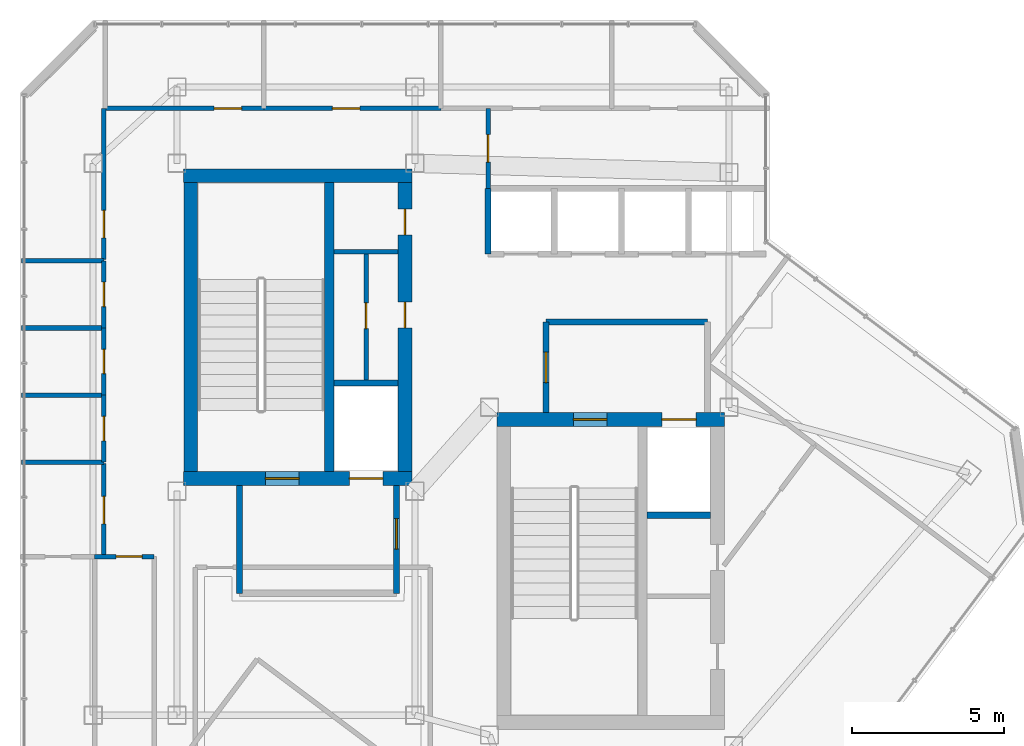
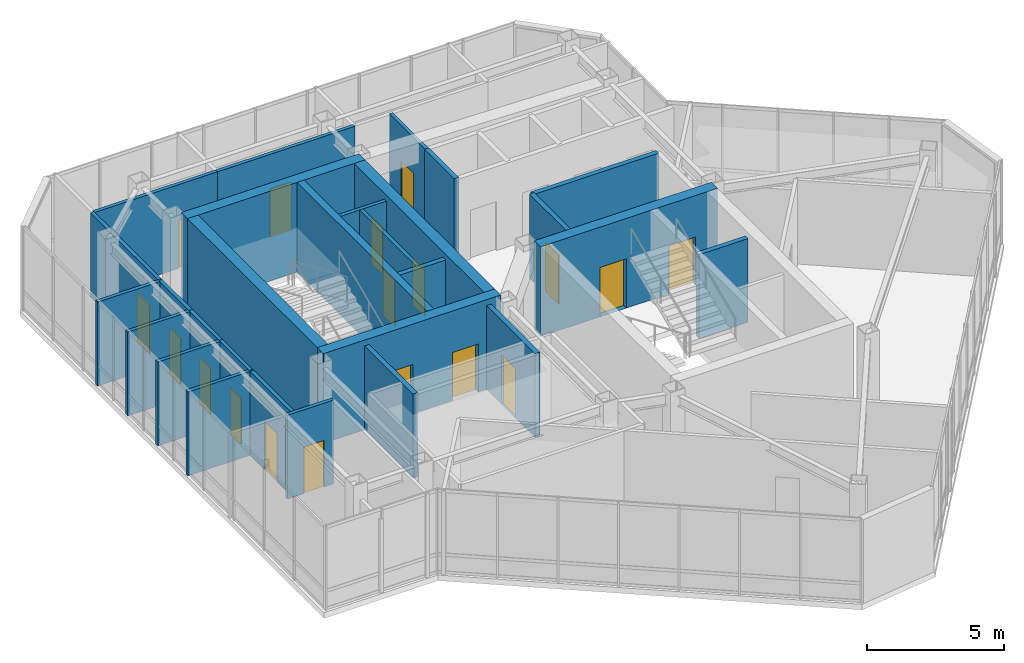
# One storey, part 26 of 29: 28 walls, 18 doors, 18 openings.
"""IFC4 building model written with IfcOpenShell, lengths in metres."""

from ifc_helpers import new_model, si_unit, direction, frame, frame_2d, origin, place, context, subcontext, project, spatial, rectangle, extrude, material, layer, layer_set, type_object, element, fill, save


model = new_model("IFC4")

# Units and contexts
model_context = context("Model", 3, precision=1e-05, world=origin(), true_north=direction((0.0, 1.0)))
body_context = subcontext(model_context, "Body", "Model", "MODEL_VIEW")
ifc_project = project(units=[si_unit("LENGTHUNIT", "METRE"), si_unit("AREAUNIT", "SQUARE_METRE"), si_unit("VOLUMEUNIT", "CUBIC_METRE"), si_unit("PLANEANGLEUNIT", "RADIAN"), si_unit("MASSUNIT", "GRAM", prefix="KILO")], contexts=[model_context])

# Site, building, storey
site_placement = place(None, origin())
site = spatial("IfcSite", under=ifc_project, at=site_placement, CompositionType="ELEMENT")
building_placement = place(site_placement, origin())
building = spatial("IfcBuilding", under=site, at=building_placement, Name="Hatsunagi Terrace Concourse", CompositionType="ELEMENT")
storey_placement = place(building_placement, frame((0.0, 0.0, 277.949951171875)))
storey = spatial("IfcBuildingStorey", under=building, at=storey_placement, Name="L73", CompositionType="ELEMENT", Elevation=277.949951171875)

# Wall, openings, doors
ifc_material_1 = material(Name="Concrete Fc42", Category="concrete")
ifc_layer_1 = layer(ifc_material_1, 0.449951171875)
ifc_layer_set_1 = layer_set([ifc_layer_1], Name="CoreShearWall_Fc42_450")
wall_type_1 = type_object("IfcWallType", Name="CoreShearWall_Fc42_450", PredefinedType="SHEAR", material=ifc_layer_set_1)
wall_1_placement = place(storey_placement, frame((25.77001953125, 32.965087890625, 0.0), z_axis=(0.0, 0.0, 1.0), x_axis=(1.0, 0.0, 0.0)))
wall_1 = element("IfcWall", 1, at=wall_1_placement, inside=storey, type_object=wall_type_1, Name="Core A Shear Wall S L73", PredefinedType="SHEAR", context=body_context, shape_type="SweptSolid", body=[
    extrude(rectangle(XDim=7.47998046875, YDim=0.449951171875, at=frame_2d((3.739990234375, 0.0))), origin(), (0.0, 0.0, 1.0), 4.0),
])
opening_1_placement = place(wall_1_placement, frame((2.679931640625, 0.0, 0.0)))
opening_1 = element("IfcOpeningElement", 2, at=opening_1_placement, cuts=wall_1, Name="Opening DR-110S", PredefinedType="OPENING", context=body_context, shape_type="SweptSolid", body=[
    extrude(rectangle(XDim=1.10009765625, YDim=2.199951171875, at=frame_2d((0.550048828125, 1.10009765625))), frame((0.0, 0.23486328125, 0.0), z_axis=(0.0, -1.0, 0.0), x_axis=(1.0, 0.0, 0.0)), (0.0, 0.0, 1.0), 0.469970703125),
])
opening_2_placement = place(wall_1_placement, frame((5.429931640625, 0.0, 0.0)))
opening_2 = element("IfcOpeningElement", 3, at=opening_2_placement, cuts=wall_1, Name="Opening LD-01", PredefinedType="OPENING", context=body_context, shape_type="SweptSolid", body=[
    extrude(rectangle(XDim=1.10009765625, YDim=2.14990234375, at=frame_2d((0.550048828125, 1.074951171875))), frame((0.0, 0.23486328125, 0.0), z_axis=(0.0, -1.0, 0.0), x_axis=(1.0, 0.0, 0.0)), (0.0, 0.0, 1.0), 0.469970703125),
])
ifc_material_2 = material(Name="Stainless steel", Category="steel")
door_type_1 = type_object("IfcDoorType", Name="LiftLandingDoor_LD01", OperationType="SLIDING_TO_LEFT", PredefinedType="USERDEFINED", material=ifc_material_2)
door_1_placement = place(opening_2_placement, origin())
door_1 = element("IfcDoor", 4, at=door_1_placement, inside=storey, type_object=door_type_1, Name="Lift landing door FF-01 L73", ObjectType="SLIDING_LANDING_DOOR", OperationType="SLIDING_TO_LEFT", OverallHeight=2.14990234375, OverallWidth=1.10009765625, PredefinedType="USERDEFINED", context=body_context, shape_type="SweptSolid", body=[
    extrude(rectangle(XDim=1.10009765625, YDim=2.14990234375, at=frame_2d((0.550048828125, 1.074951171875))), frame((0.0, 0.02490234375, 0.0), z_axis=(0.0, -1.0, 0.0), x_axis=(1.0, 0.0, 0.0)), (0.0, 0.0, 1.0), 0.050048828125),
])
fill(opening_2, door_1)
ifc_material_3 = material(Name="Painted steel", Category="steel")
door_type_2 = type_object("IfcDoorType", Name="StairFireDoor_EI60_1100", OperationType="NOTDEFINED", PredefinedType="DOOR", material=ifc_material_3)
door_2_placement = place(opening_1_placement, origin())
door_2 = element("IfcDoor", 5, at=door_2_placement, inside=storey, type_object=door_type_2, Name="Stair ST-A Exit Door L73", OperationType="SINGLE_SWING_LEFT", OverallHeight=2.199951171875, OverallWidth=1.10009765625, PredefinedType="DOOR", context=body_context, shape_type="SweptSolid", body=[
    extrude(rectangle(XDim=1.10009765625, YDim=2.199951171875, at=frame_2d((0.550048828125, 1.10009765625))), frame((0.0, 0.02490234375, 0.0), z_axis=(0.0, -1.0, 0.0), x_axis=(1.0, 0.0, 0.0)), (0.0, 0.0, 1.0), 0.050048828125),
])
fill(opening_1, door_2)

# Walls
wall_2_placement = place(storey_placement, frame((25.77001953125, 42.89501953125, 0.0), z_axis=(0.0, 0.0, 1.0), x_axis=(1.0, 0.0, 0.0)))
element("IfcWall", 6, at=wall_2_placement, inside=storey, type_object=wall_type_1, Name="Core A Shear Wall N L73", PredefinedType="SHEAR", context=body_context, shape_type="SweptSolid", body=[
    extrude(rectangle(XDim=7.47998046875, YDim=0.449951171875, at=frame_2d((3.739990234375, 0.0))), origin(), (0.0, 0.0, 1.0), 4.0),
])
wall_3_placement = place(storey_placement, frame((25.9951171875, 33.18994140625, 0.0), z_axis=(0.0, 0.0, 1.0), x_axis=(0.0, 1.0, 0.0)))
element("IfcWall", 7, at=wall_3_placement, inside=storey, type_object=wall_type_1, Name="Core A Shear Wall W L73", PredefinedType="SHEAR", context=body_context, shape_type="SweptSolid", body=[
    extrude(rectangle(XDim=9.47998046875, YDim=0.449951171875, at=frame_2d((4.739990234375, 0.0))), origin(), (0.0, 0.0, 1.0), 4.0),
])

# Wall, openings, doors
wall_4_placement = place(storey_placement, frame((33.02490234375, 33.18994140625, 0.0), z_axis=(0.0, 0.0, 1.0), x_axis=(0.0, 1.0, 0.0)))
wall_4 = element("IfcWall", 8, at=wall_4_placement, inside=storey, type_object=wall_type_1, Name="Core A Shear Wall E L73", PredefinedType="SHEAR", context=body_context, shape_type="SweptSolid", body=[
    extrude(rectangle(XDim=9.47998046875, YDim=0.449951171875, at=frame_2d((4.739990234375, 0.0))), origin(), (0.0, 0.0, 1.0), 4.0),
])
opening_3_placement = place(wall_4_placement, frame((4.7099609375, 0.0, 0.0)))
opening_3 = element("IfcOpeningElement", 9, at=opening_3_placement, cuts=wall_4, Name="Opening DR-085", PredefinedType="OPENING", context=body_context, shape_type="SweptSolid", body=[
    extrude(rectangle(XDim=0.85009765625, YDim=2.080078125, at=frame_2d((0.425048828125, 1.0400390625))), frame((0.0, 0.23486328125, 0.0), z_axis=(0.0, -1.0, 0.0), x_axis=(1.0, 0.0, 0.0)), (0.0, 0.0, 1.0), 0.469970703125),
])
opening_4_placement = place(wall_4_placement, frame((7.760009765625, 0.0, 0.0)))
opening_4 = element("IfcOpeningElement", 10, at=opening_4_placement, cuts=wall_4, Name="Opening DR-085", PredefinedType="OPENING", context=body_context, shape_type="SweptSolid", body=[
    extrude(rectangle(XDim=0.85009765625, YDim=2.080078125, at=frame_2d((0.425048828125, 1.0400390625))), frame((0.0, 0.23486328125, 0.0), z_axis=(0.0, -1.0, 0.0), x_axis=(1.0, 0.0, 0.0)), (0.0, 0.0, 1.0), 0.469970703125),
])
ifc_material_4 = material(Name="Painted steel", Category="steel")
door_type_3 = type_object("IfcDoorType", Name="RiserAccessDoor_EI60_850", OperationType="NOTDEFINED", PredefinedType="DOOR", material=ifc_material_4)
door_3_placement = place(opening_3_placement, origin())
door_3 = element("IfcDoor", 11, at=door_3_placement, inside=storey, type_object=door_type_3, Name="Core A Riser Door L73-1", OperationType="SINGLE_SWING_LEFT", OverallHeight=2.080078125, OverallWidth=0.85009765625, PredefinedType="DOOR", context=body_context, shape_type="SweptSolid", body=[
    extrude(rectangle(XDim=0.85009765625, YDim=2.080078125, at=frame_2d((0.425048828125, 1.0400390625))), frame((0.0, 0.02490234375, 0.0), z_axis=(0.0, -1.0, 0.0), x_axis=(1.0, 0.0, 0.0)), (0.0, 0.0, 1.0), 0.050048828125),
])
fill(opening_3, door_3)
door_4_placement = place(opening_4_placement, origin())
door_4 = element("IfcDoor", 12, at=door_4_placement, inside=storey, type_object=door_type_3, Name="Core A Riser Door L73-2", OperationType="SINGLE_SWING_LEFT", OverallHeight=2.080078125, OverallWidth=0.85009765625, PredefinedType="DOOR", context=body_context, shape_type="SweptSolid", body=[
    extrude(rectangle(XDim=0.85009765625, YDim=2.080078125, at=frame_2d((0.425048828125, 1.0400390625))), frame((0.0, 0.02490234375, 0.0), z_axis=(0.0, -1.0, 0.0), x_axis=(1.0, 0.0, 0.0)), (0.0, 0.0, 1.0), 0.050048828125),
])
fill(opening_4, door_4)

wall_5_placement = place(storey_placement, frame((36.0400390625, 34.89501953125, 0.0), z_axis=(0.0, 0.0, 1.0), x_axis=(1.0, 0.0, 0.0)))
wall_5 = element("IfcWall", 13, at=wall_5_placement, inside=storey, type_object=wall_type_1, Name="Core B Shear Wall N L73", PredefinedType="SHEAR", context=body_context, shape_type="SweptSolid", body=[
    extrude(rectangle(XDim=7.4599609375, YDim=0.449951171875, at=frame_2d((3.72998046875, 0.0))), origin(), (0.0, 0.0, 1.0), 4.0),
])
opening_5_placement = place(wall_5_placement, frame((2.510009765625, 0.0, 0.0)))
opening_5 = element("IfcOpeningElement", 14, at=opening_5_placement, cuts=wall_5, Name="Opening DR-110S", PredefinedType="OPENING", context=body_context, shape_type="SweptSolid", body=[
    extrude(rectangle(XDim=1.10009765625, YDim=2.199951171875, at=frame_2d((0.550048828125, 1.10009765625))), frame((0.0, 0.23486328125, 0.0), z_axis=(0.0, -1.0, 0.0), x_axis=(1.0, 0.0, 0.0)), (0.0, 0.0, 1.0), 0.469970703125),
])
opening_6_placement = place(wall_5_placement, frame((5.409912109375, 0.0, 0.0)))
opening_6 = element("IfcOpeningElement", 15, at=opening_6_placement, cuts=wall_5, Name="Opening LD-02", PredefinedType="OPENING", context=body_context, shape_type="SweptSolid", body=[
    extrude(rectangle(XDim=1.1201171875, YDim=2.14990234375, at=frame_2d((0.56005859375, 1.074951171875))), frame((0.0, 0.23486328125, 0.0), z_axis=(0.0, -1.0, 0.0), x_axis=(1.0, 0.0, 0.0)), (0.0, 0.0, 1.0), 0.469970703125),
])
ifc_material_5 = material(Name="Stainless steel", Category="steel")
door_type_4 = type_object("IfcDoorType", Name="LiftLandingDoor_LD02", OperationType="SLIDING_TO_RIGHT", PredefinedType="USERDEFINED", material=ifc_material_5)
door_5_placement = place(opening_6_placement, origin())
door_5 = element("IfcDoor", 16, at=door_5_placement, inside=storey, type_object=door_type_4, Name="Lift landing door FF-02 L73", ObjectType="SLIDING_LANDING_DOOR", OperationType="SLIDING_TO_RIGHT", OverallHeight=2.14990234375, OverallWidth=1.1201171875, PredefinedType="USERDEFINED", context=body_context, shape_type="SweptSolid", body=[
    extrude(rectangle(XDim=1.1201171875, YDim=2.14990234375, at=frame_2d((0.56005859375, 1.074951171875))), frame((0.0, 0.02490234375, 0.0), z_axis=(0.0, -1.0, 0.0), x_axis=(1.0, 0.0, 0.0)), (0.0, 0.0, 1.0), 0.050048828125),
])
fill(opening_6, door_5)
door_6_placement = place(opening_5_placement, origin())
door_6 = element("IfcDoor", 17, at=door_6_placement, inside=storey, type_object=door_type_2, Name="Stair ST-B Exit Door L73", OperationType="SINGLE_SWING_RIGHT", OverallHeight=2.199951171875, OverallWidth=1.10009765625, PredefinedType="DOOR", context=body_context, shape_type="SweptSolid", body=[
    extrude(rectangle(XDim=1.10009765625, YDim=2.199951171875, at=frame_2d((0.550048828125, 1.10009765625))), frame((0.0, 0.02490234375, 0.0), z_axis=(0.0, -1.0, 0.0), x_axis=(1.0, 0.0, 0.0)), (0.0, 0.0, 1.0), 0.050048828125),
])
fill(opening_5, door_6)

# Wall
ifc_material_6 = material(Name="Concrete Fc48", Category="concrete")
ifc_layer_2 = layer(ifc_material_6, 0.300048828125)
ifc_layer_set_2 = layer_set([ifc_layer_2], Name="CoreStairDivider_Fc48_300")
wall_type_2 = type_object("IfcWallType", Name="CoreStairDivider_Fc48_300", PredefinedType="SHEAR", material=ifc_layer_set_2)
wall_6_placement = place(storey_placement, frame((30.5400390625, 33.18994140625, 0.0), z_axis=(0.0, 0.0, 1.0), x_axis=(0.0, 1.0, 0.0)))
element("IfcWall", 18, at=wall_6_placement, inside=storey, type_object=wall_type_2, Name="Core A Shear Wall D L73", PredefinedType="SHEAR", context=body_context, shape_type="SweptSolid", body=[
    extrude(rectangle(XDim=9.47998046875, YDim=0.300048828125, at=frame_2d((4.739990234375, 0.0))), origin(), (0.0, 0.0, 1.0), 4.0),
])

# Wall, opening, door
ifc_material_7 = material(Name="Acoustic mineral board", Category="gypsum")
ifc_layer_3 = layer(ifc_material_7, 0.14990234375)
ifc_layer_set_3 = layer_set([ifc_layer_3], Name="PartitionWall_EI60_150")
wall_type_3 = type_object("IfcWallType", Name="PartitionWall_EI60_150", PredefinedType="PARTITIONING", material=ifc_layer_set_3)
wall_7_placement = place(storey_placement, frame((31.75, 36.179931640625, 0.0), z_axis=(0.0, 0.0, 1.0), x_axis=(0.0, 1.0, 0.0)))
wall_7 = element("IfcWall", 19, at=wall_7_placement, inside=storey, type_object=wall_type_3, Name="Interior Partition IW-L73-002", PredefinedType="PARTITIONING", context=body_context, shape_type="SweptSolid", body=[
    extrude(rectangle(XDim=4.239990234375, YDim=0.14990234375, at=frame_2d((2.1201171875, 0.0))), origin(), (0.0, 0.0, 1.0), 3.739990234375),
])
opening_7_placement = place(wall_7_placement, frame((1.695068359375, 0.0, 0.0)))
opening_7 = element("IfcOpeningElement", 20, at=opening_7_placement, cuts=wall_7, Name="Opening DR-085", PredefinedType="OPENING", context=body_context, shape_type="SweptSolid", body=[
    extrude(rectangle(XDim=0.85009765625, YDim=2.080078125, at=frame_2d((0.425048828125, 1.0400390625))), frame((0.0, 0.0849609375, 0.0), z_axis=(0.0, -1.0, 0.0), x_axis=(1.0, 0.0, 0.0)), (0.0, 0.0, 1.0), 0.169921875),
])
door_7_placement = place(opening_7_placement, origin())
door_7 = element("IfcDoor", 21, at=door_7_placement, inside=storey, type_object=door_type_3, Name="Core A Sub-Riser Door L73", OperationType="SINGLE_SWING_LEFT", OverallHeight=2.080078125, OverallWidth=0.85009765625, PredefinedType="DOOR", context=body_context, shape_type="SweptSolid", body=[
    extrude(rectangle(XDim=0.85009765625, YDim=2.080078125, at=frame_2d((0.425048828125, 1.0400390625))), frame((0.0, 0.02490234375, 0.0), z_axis=(0.0, -1.0, 0.0), x_axis=(1.0, 0.0, 0.0)), (0.0, 0.0, 1.0), 0.050048828125),
])
fill(opening_7, door_7)

# Walls
wall_8_placement = place(storey_placement, frame((30.699951171875, 40.39990234375, 0.0), z_axis=(0.0, 0.0, 1.0), x_axis=(1.0, 0.0, 0.0)))
element("IfcWall", 22, at=wall_8_placement, inside=storey, type_object=wall_type_3, Name="Interior Partition IW-L73-003", PredefinedType="PARTITIONING", context=body_context, shape_type="SweptSolid", body=[
    extrude(rectangle(XDim=2.10009765625, YDim=0.14990234375, at=frame_2d((1.050048828125, 0.0))), origin(), (0.0, 0.0, 1.0), 3.739990234375),
])
for number, where, z_axis, x_axis, name in (
    (23, (20.449951171875, 33.5, 0.0), (0.0, 0.0, 1.0), (1.0, 0.0, 0.0), "Interior Partition IW-L73-018"),
    (24, (20.449951171875, 40.10009765625, 0.0), (0.0, 0.0, 1.0), (1.0, 0.0, 0.0), "Interior Partition IW-L73-019"),
    (25, (20.449951171875, 35.699951171875, 0.0), (0.0, 0.0, 1.0), (1.0, 0.0, 0.0), "Interior Partition IW-L73-020"),
    (26, (20.449951171875, 37.89990234375, 0.0), (0.0, 0.0, 1.0), (1.0, 0.0, 0.0), "Interior Partition IW-L73-021"),
):
    element("IfcWall", number, at=place(storey_placement, frame(where, z_axis=z_axis, x_axis=x_axis)), inside=storey, type_object=wall_type_3, Name=name, PredefinedType="PARTITIONING", context=body_context, shape_type="SweptSolid", body=[
        extrude(rectangle(XDim=2.699951171875, YDim=0.14990234375, at=frame_2d((1.35009765625, 0.0))), origin(), (0.0, 0.0, 1.0), 3.739990234375),
    ])

# Wall, opening, door
wall_9_placement = place(storey_placement, frame((23.14990234375, 33.5, 0.0), z_axis=(0.0, 0.0, 1.0), x_axis=(0.0, 1.0, 0.0)))
wall_9 = element("IfcWall", 27, at=wall_9_placement, inside=storey, type_object=wall_type_3, Name="Interior Partition IW-L73-022", PredefinedType="PARTITIONING", context=body_context, shape_type="SweptSolid", body=[
    extrude(rectangle(XDim=2.199951171875, YDim=0.14990234375, at=frame_2d((1.10009765625, 0.0))), origin(), (0.0, 0.0, 1.0), 3.739990234375),
])
opening_8_placement = place(wall_9_placement, frame((0.699951171875, 0.0, 0.0)))
opening_8 = element("IfcOpeningElement", 28, at=opening_8_placement, cuts=wall_9, Name="Opening DR-080", PredefinedType="OPENING", context=body_context, shape_type="SweptSolid", body=[
    extrude(rectangle(XDim=0.800048828125, YDim=2.06005859375, at=frame_2d((0.39990234375, 1.030029296875))), frame((0.0, 0.0849609375, 0.0), z_axis=(0.0, -1.0, 0.0), x_axis=(1.0, 0.0, 0.0)), (0.0, 0.0, 1.0), 0.169921875),
])
ifc_material_8 = material(Name="Hardwood timber", Category="wood")
door_type_5 = type_object("IfcDoorType", Name="BathroomDoor_800", OperationType="NOTDEFINED", PredefinedType="DOOR", material=ifc_material_8)
door_8_placement = place(opening_8_placement, origin())
door_8 = element("IfcDoor", 29, at=door_8_placement, inside=storey, type_object=door_type_5, Name="Accessible WC Door L73", OperationType="SINGLE_SWING_LEFT", OverallHeight=2.06005859375, OverallWidth=0.800048828125, PredefinedType="DOOR", context=body_context, shape_type="SweptSolid", body=[
    extrude(rectangle(XDim=0.800048828125, YDim=2.06005859375, at=frame_2d((0.39990234375, 1.030029296875))), frame((0.0, 0.02490234375, 0.0), z_axis=(0.0, -1.0, 0.0), x_axis=(1.0, 0.0, 0.0)), (0.0, 0.0, 1.0), 0.050048828125),
])
fill(opening_8, door_8)

wall_10_placement = place(storey_placement, frame((23.14990234375, 35.699951171875, 0.0), z_axis=(0.0, 0.0, 1.0), x_axis=(0.0, 1.0, 0.0)))
wall_10 = element("IfcWall", 30, at=wall_10_placement, inside=storey, type_object=wall_type_3, Name="Interior Partition IW-L73-023", PredefinedType="PARTITIONING", context=body_context, shape_type="SweptSolid", body=[
    extrude(rectangle(XDim=2.199951171875, YDim=0.14990234375, at=frame_2d((1.10009765625, 0.0))), origin(), (0.0, 0.0, 1.0), 3.739990234375),
])
opening_9_placement = place(wall_10_placement, frame((0.699951171875, 0.0, 0.0)))
opening_9 = element("IfcOpeningElement", 31, at=opening_9_placement, cuts=wall_10, Name="Opening DR-080", PredefinedType="OPENING", context=body_context, shape_type="SweptSolid", body=[
    extrude(rectangle(XDim=0.800048828125, YDim=2.06005859375, at=frame_2d((0.39990234375, 1.030029296875))), frame((0.0, 0.0849609375, 0.0), z_axis=(0.0, -1.0, 0.0), x_axis=(1.0, 0.0, 0.0)), (0.0, 0.0, 1.0), 0.169921875),
])
door_9_placement = place(opening_9_placement, origin())
door_9 = element("IfcDoor", 32, at=door_9_placement, inside=storey, type_object=door_type_5, Name="Female Restroom Door L73", OperationType="SINGLE_SWING_LEFT", OverallHeight=2.06005859375, OverallWidth=0.800048828125, PredefinedType="DOOR", context=body_context, shape_type="SweptSolid", body=[
    extrude(rectangle(XDim=0.800048828125, YDim=2.06005859375, at=frame_2d((0.39990234375, 1.030029296875))), frame((0.0, 0.02490234375, 0.0), z_axis=(0.0, -1.0, 0.0), x_axis=(1.0, 0.0, 0.0)), (0.0, 0.0, 1.0), 0.050048828125),
])
fill(opening_9, door_9)

wall_11_placement = place(storey_placement, frame((23.14990234375, 37.89990234375, 0.0), z_axis=(0.0, 0.0, 1.0), x_axis=(0.0, 1.0, 0.0)))
wall_11 = element("IfcWall", 33, at=wall_11_placement, inside=storey, type_object=wall_type_3, Name="Interior Partition IW-L73-024", PredefinedType="PARTITIONING", context=body_context, shape_type="SweptSolid", body=[
    extrude(rectangle(XDim=2.2001953125, YDim=0.14990234375, at=frame_2d((1.10009765625, 0.0))), origin(), (0.0, 0.0, 1.0), 3.739990234375),
])
opening_10_placement = place(wall_11_placement, frame((0.699951171875, 0.0, 0.0)))
opening_10 = element("IfcOpeningElement", 34, at=opening_10_placement, cuts=wall_11, Name="Opening DR-080", PredefinedType="OPENING", context=body_context, shape_type="SweptSolid", body=[
    extrude(rectangle(XDim=0.800048828125, YDim=2.06005859375, at=frame_2d((0.39990234375, 1.030029296875))), frame((0.0, 0.0849609375, 0.0), z_axis=(0.0, -1.0, 0.0), x_axis=(1.0, 0.0, 0.0)), (0.0, 0.0, 1.0), 0.169921875),
])
door_10_placement = place(opening_10_placement, origin())
door_10 = element("IfcDoor", 35, at=door_10_placement, inside=storey, type_object=door_type_5, Name="Male Restroom Door L73", OperationType="SINGLE_SWING_RIGHT", OverallHeight=2.06005859375, OverallWidth=0.800048828125, PredefinedType="DOOR", context=body_context, shape_type="SweptSolid", body=[
    extrude(rectangle(XDim=0.800048828125, YDim=2.06005859375, at=frame_2d((0.39990234375, 1.030029296875))), frame((0.0, 0.02490234375, 0.0), z_axis=(0.0, -1.0, 0.0), x_axis=(1.0, 0.0, 0.0)), (0.0, 0.0, 1.0), 0.050048828125),
])
fill(opening_10, door_10)

wall_12_placement = place(storey_placement, frame((23.199951171875, 45.10009765625, 0.0), z_axis=(0.0, 0.0, 1.0), x_axis=(1.0, 0.0, 0.0)))
wall_12 = element("IfcWall", 36, at=wall_12_placement, inside=storey, type_object=wall_type_3, Name="Interior Partition IW-L73-029", PredefinedType="PARTITIONING", context=body_context, shape_type="SweptSolid", body=[
    extrude(rectangle(XDim=5.199951171875, YDim=0.14990234375, at=frame_2d((2.60009765625, 0.0))), origin(), (0.0, 0.0, 1.0), 3.739990234375),
])
opening_11_placement = place(wall_12_placement, frame((3.56591796875, 0.0, 0.0)))
opening_11 = element("IfcOpeningElement", 37, at=opening_11_placement, cuts=wall_12, Name="Opening DR-090", PredefinedType="OPENING", context=body_context, shape_type="SweptSolid", body=[
    extrude(rectangle(XDim=0.89990234375, YDim=2.14990234375, at=frame_2d((0.449951171875, 1.074951171875))), frame((0.0, 0.0849609375, 0.0), z_axis=(0.0, -1.0, 0.0), x_axis=(1.0, 0.0, 0.0)), (0.0, 0.0, 1.0), 0.169921875),
])
ifc_material_9 = material(Name="Hardwood timber", Category="wood")
door_type_6 = type_object("IfcDoorType", Name="CrownPavilionDoor_EI30_900", OperationType="NOTDEFINED", PredefinedType="DOOR", material=ifc_material_9)
door_11_placement = place(opening_11_placement, origin())
door_11 = element("IfcDoor", 38, at=door_11_placement, inside=storey, type_object=door_type_6, Name="Focus Room L73-CRN1 Door", OperationType="SINGLE_SWING_RIGHT", OverallHeight=2.14990234375, OverallWidth=0.89990234375, PredefinedType="DOOR", context=body_context, shape_type="SweptSolid", body=[
    extrude(rectangle(XDim=0.89990234375, YDim=2.14990234375, at=frame_2d((0.449951171875, 1.074951171875))), frame((0.0, 0.02490234375, 0.0), z_axis=(0.0, -1.0, 0.0), x_axis=(1.0, 0.0, 0.0)), (0.0, 0.0, 1.0), 0.050048828125),
])
fill(opening_11, door_11)

wall_13_placement = place(storey_placement, frame((28.39990234375, 45.10009765625, 0.0), z_axis=(0.0, 0.0, 1.0), x_axis=(1.0, 0.0, 0.0)))
wall_13 = element("IfcWall", 39, at=wall_13_placement, inside=storey, type_object=wall_type_3, Name="Interior Partition IW-L73-032", PredefinedType="PARTITIONING", context=body_context, shape_type="SweptSolid", body=[
    extrude(rectangle(XDim=5.800048828125, YDim=0.14990234375, at=frame_2d((2.89990234375, 0.0))), origin(), (0.0, 0.0, 1.0), 3.739990234375),
])
opening_12_placement = place(wall_13_placement, frame((2.242919921875, 0.0, 0.0)))
opening_12 = element("IfcOpeningElement", 40, at=opening_12_placement, cuts=wall_13, Name="Opening DR-090", PredefinedType="OPENING", context=body_context, shape_type="SweptSolid", body=[
    extrude(rectangle(XDim=0.89990234375, YDim=2.14990234375, at=frame_2d((0.449951171875, 1.074951171875))), frame((0.0, 0.0849609375, 0.0), z_axis=(0.0, -1.0, 0.0), x_axis=(1.0, 0.0, 0.0)), (0.0, 0.0, 1.0), 0.169921875),
])
door_12_placement = place(opening_12_placement, origin())
door_12 = element("IfcDoor", 41, at=door_12_placement, inside=storey, type_object=door_type_6, Name="Executive Office L73-CRN2 Door", OperationType="SINGLE_SWING_RIGHT", OverallHeight=2.14990234375, OverallWidth=0.89990234375, PredefinedType="DOOR", context=body_context, shape_type="SweptSolid", body=[
    extrude(rectangle(XDim=0.89990234375, YDim=2.14990234375, at=frame_2d((0.449951171875, 1.074951171875))), frame((0.0, 0.02490234375, 0.0), z_axis=(0.0, -1.0, 0.0), x_axis=(1.0, 0.0, 0.0)), (0.0, 0.0, 1.0), 0.050048828125),
])
fill(opening_12, door_12)

wall_14_placement = place(storey_placement, frame((35.75, 42.47998046875, 0.0), z_axis=(0.0, 0.0, 1.0), x_axis=(0.0, 1.0, 0.0)))
wall_14 = element("IfcWall", 42, at=wall_14_placement, inside=storey, type_object=wall_type_3, Name="Interior Partition IW-L73-037", PredefinedType="PARTITIONING", context=body_context, shape_type="SweptSolid", body=[
    extrude(rectangle(XDim=2.6201171875, YDim=0.14990234375, at=frame_2d((1.31005859375, 0.0))), origin(), (0.0, 0.0, 1.0), 3.739990234375),
])
opening_13_placement = place(wall_14_placement, frame((0.860107421875, 0.0, 0.0)))
opening_13 = element("IfcOpeningElement", 43, at=opening_13_placement, cuts=wall_14, Name="Opening DR-090", PredefinedType="OPENING", context=body_context, shape_type="SweptSolid", body=[
    extrude(rectangle(XDim=0.89990234375, YDim=2.14990234375, at=frame_2d((0.449951171875, 1.074951171875))), frame((0.0, 0.0849609375, 0.0), z_axis=(0.0, -1.0, 0.0), x_axis=(1.0, 0.0, 0.0)), (0.0, 0.0, 1.0), 0.169921875),
])
door_13_placement = place(opening_13_placement, origin())
door_13 = element("IfcDoor", 44, at=door_13_placement, inside=storey, type_object=door_type_6, Name="Crown Tea Salon L73-CRTEA Door", OperationType="SINGLE_SWING_RIGHT", OverallHeight=2.14990234375, OverallWidth=0.89990234375, PredefinedType="DOOR", context=body_context, shape_type="SweptSolid", body=[
    extrude(rectangle(XDim=0.89990234375, YDim=2.14990234375, at=frame_2d((0.449951171875, 1.074951171875))), frame((0.0, 0.02490234375, 0.0), z_axis=(0.0, -1.0, 0.0), x_axis=(1.0, 0.0, 0.0)), (0.0, 0.0, 1.0), 0.050048828125),
])
fill(opening_13, door_13)

wall_15_placement = place(storey_placement, frame((22.85009765625, 30.39990234375, 0.0), z_axis=(0.0, 0.0, 1.0), x_axis=(1.0, 0.0, 0.0)))
wall_15 = element("IfcWall", 45, at=wall_15_placement, inside=storey, type_object=wall_type_3, Name="Interior Partition IW-L73-042", PredefinedType="PARTITIONING", context=body_context, shape_type="SweptSolid", body=[
    extrude(rectangle(XDim=1.949951171875, YDim=0.14990234375, at=frame_2d((0.97509765625, 0.0))), origin(), (0.0, 0.0, 1.0), 3.739990234375),
])
opening_14_placement = place(wall_15_placement, frame((0.702880859375, 0.0, 0.0)))
opening_14 = element("IfcOpeningElement", 46, at=opening_14_placement, cuts=wall_15, Name="Opening DR-085", PredefinedType="OPENING", context=body_context, shape_type="SweptSolid", body=[
    extrude(rectangle(XDim=0.85009765625, YDim=2.080078125, at=frame_2d((0.425048828125, 1.0400390625))), frame((0.0, 0.0849609375, 0.0), z_axis=(0.0, -1.0, 0.0), x_axis=(1.0, 0.0, 0.0)), (0.0, 0.0, 1.0), 0.169921875),
])
door_14_placement = place(opening_14_placement, origin())
door_14 = element("IfcDoor", 47, at=door_14_placement, inside=storey, type_object=door_type_3, Name="Client Consultation Room L73-CRSK2 Door", OperationType="SINGLE_SWING_RIGHT", OverallHeight=2.080078125, OverallWidth=0.85009765625, PredefinedType="DOOR", context=body_context, shape_type="SweptSolid", body=[
    extrude(rectangle(XDim=0.85009765625, YDim=2.080078125, at=frame_2d((0.425048828125, 1.0400390625))), frame((0.0, 0.02490234375, 0.0), z_axis=(0.0, -1.0, 0.0), x_axis=(1.0, 0.0, 0.0)), (0.0, 0.0, 1.0), 0.050048828125),
])
fill(opening_14, door_14)

wall_16_placement = place(storey_placement, frame((23.14990234375, 30.39990234375, 0.0), z_axis=(0.0, 0.0, 1.0), x_axis=(0.0, 1.0, 0.0)))
wall_16 = element("IfcWall", 48, at=wall_16_placement, inside=storey, type_object=wall_type_3, Name="Interior Partition IW-L73-044", PredefinedType="PARTITIONING", context=body_context, shape_type="SweptSolid", body=[
    extrude(rectangle(XDim=3.050048828125, YDim=0.14990234375, at=frame_2d((1.52490234375, 0.0))), origin(), (0.0, 0.0, 1.0), 3.739990234375),
])
opening_15_placement = place(wall_16_placement, frame((1.074951171875, 0.0, 0.0)))
opening_15 = element("IfcOpeningElement", 49, at=opening_15_placement, cuts=wall_16, Name="Opening DR-090", PredefinedType="OPENING", context=body_context, shape_type="SweptSolid", body=[
    extrude(rectangle(XDim=0.89990234375, YDim=2.14990234375, at=frame_2d((0.449951171875, 1.074951171875))), frame((0.0, 0.0849609375, 0.0), z_axis=(0.0, -1.0, 0.0), x_axis=(1.0, 0.0, 0.0)), (0.0, 0.0, 1.0), 0.169921875),
])
door_15_placement = place(opening_15_placement, origin())
door_15 = element("IfcDoor", 50, at=door_15_placement, inside=storey, type_object=door_type_6, Name="Meeting Room L73-CRSW Door", OperationType="SINGLE_SWING_LEFT", OverallHeight=2.14990234375, OverallWidth=0.89990234375, PredefinedType="DOOR", context=body_context, shape_type="SweptSolid", body=[
    extrude(rectangle(XDim=0.89990234375, YDim=2.14990234375, at=frame_2d((0.449951171875, 1.074951171875))), frame((0.0, 0.02490234375, 0.0), z_axis=(0.0, -1.0, 0.0), x_axis=(1.0, 0.0, 0.0)), (0.0, 0.0, 1.0), 0.050048828125),
])
fill(opening_15, door_15)

wall_17_placement = place(storey_placement, frame((23.14990234375, 40.14990234375, 0.0), z_axis=(0.0, 0.0, 1.0), x_axis=(0.0, 1.0, 0.0)))
wall_17 = element("IfcWall", 51, at=wall_17_placement, inside=storey, type_object=wall_type_3, Name="Interior Partition IW-L73-045", PredefinedType="PARTITIONING", context=body_context, shape_type="SweptSolid", body=[
    extrude(rectangle(XDim=4.9501953125, YDim=0.14990234375, at=frame_2d((2.47509765625, 0.0))), origin(), (0.0, 0.0, 1.0), 3.739990234375),
])
opening_16_placement = place(wall_17_placement, frame((0.708984375, 0.0, 0.0)))
opening_16 = element("IfcOpeningElement", 52, at=opening_16_placement, cuts=wall_17, Name="Opening DR-090", PredefinedType="OPENING", context=body_context, shape_type="SweptSolid", body=[
    extrude(rectangle(XDim=0.89990234375, YDim=2.14990234375, at=frame_2d((0.449951171875, 1.074951171875))), frame((0.0, 0.0849609375, 0.0), z_axis=(0.0, -1.0, 0.0), x_axis=(1.0, 0.0, 0.0)), (0.0, 0.0, 1.0), 0.169921875),
])
door_16_placement = place(opening_16_placement, origin())
door_16 = element("IfcDoor", 53, at=door_16_placement, inside=storey, type_object=door_type_6, Name="Crown Executive Suite L73-CRNW Door", OperationType="SINGLE_SWING_RIGHT", OverallHeight=2.14990234375, OverallWidth=0.89990234375, PredefinedType="DOOR", context=body_context, shape_type="SweptSolid", body=[
    extrude(rectangle(XDim=0.89990234375, YDim=2.14990234375, at=frame_2d((0.449951171875, 1.074951171875))), frame((0.0, 0.02490234375, 0.0), z_axis=(0.0, -1.0, 0.0), x_axis=(1.0, 0.0, 0.0)), (0.0, 0.0, 1.0), 0.050048828125),
])
fill(opening_16, door_16)

# Walls
ifc_material_10 = material(Name="Acoustic mineral board", Category="gypsum")
ifc_layer_4 = layer(ifc_material_10, 0.199951171875)
ifc_layer_set_4 = layer_set([ifc_layer_4], Name="ShaftWall_EI120_200")
wall_type_4 = type_object("IfcWallType", Name="ShaftWall_EI120_200", PredefinedType="STANDARD", material=ifc_layer_set_4)
wall_18_placement = place(storey_placement, frame((30.699951171875, 36.10009765625, 0.0), z_axis=(0.0, 0.0, 1.0), x_axis=(1.0, 0.0, 0.0)))
element("IfcWall", 54, at=wall_18_placement, inside=storey, type_object=wall_type_4, Name="Interior Partition IW-L73-001", PredefinedType="STANDARD", context=body_context, shape_type="SweptSolid", body=[
    extrude(rectangle(XDim=2.10009765625, YDim=0.199951171875, at=frame_2d((1.050048828125, 0.0))), origin(), (0.0, 0.0, 1.0), 3.739990234375),
])
wall_19_placement = place(storey_placement, frame((40.969970703125, 31.760009765625, 0.0), z_axis=(0.0, 0.0, 1.0), x_axis=(1.0, 0.0, 0.0)))
element("IfcWall", 55, at=wall_19_placement, inside=storey, type_object=wall_type_4, Name="Interior Partition IW-L73-004", PredefinedType="STANDARD", context=body_context, shape_type="SweptSolid", body=[
    extrude(rectangle(XDim=2.080078125, YDim=0.199951171875, at=frame_2d((1.0400390625, 0.0))), origin(), (0.0, 0.0, 1.0), 3.739990234375),
])
wall_20_placement = place(storey_placement, frame((27.60009765625, 29.199951171875, 0.0), z_axis=(0.0, 0.0, 1.0), x_axis=(0.0, 1.0, 0.0)))
element("IfcWall", 56, at=wall_20_placement, inside=storey, type_object=wall_type_4, Name="Interior Partition IW-L73-007", PredefinedType="STANDARD", context=body_context, shape_type="SweptSolid", body=[
    extrude(rectangle(XDim=3.5400390625, YDim=0.199951171875, at=frame_2d((1.77001953125, 0.0))), origin(), (0.0, 0.0, 1.0), 3.739990234375),
])

# Wall, opening, door
wall_21_placement = place(storey_placement, frame((32.75, 29.199951171875, 0.0), z_axis=(0.0, 0.0, 1.0), x_axis=(0.0, 1.0, 0.0)))
wall_21 = element("IfcWall", 57, at=wall_21_placement, inside=storey, type_object=wall_type_4, Name="Interior Partition IW-L73-008", PredefinedType="STANDARD", context=body_context, shape_type="SweptSolid", body=[
    extrude(rectangle(XDim=3.5400390625, YDim=0.199951171875, at=frame_2d((1.77001953125, 0.0))), origin(), (0.0, 0.0, 1.0), 3.739990234375),
])
opening_17_placement = place(wall_21_placement, frame((1.449951171875, 0.0, 0.0)))
opening_17 = element("IfcOpeningElement", 58, at=opening_17_placement, cuts=wall_21, Name="Opening DR-100F", PredefinedType="OPENING", context=body_context, shape_type="SweptSolid", body=[
    extrude(rectangle(XDim=1.0, YDim=2.199951171875, at=frame_2d((0.5, 1.10009765625))), frame((0.0, 0.10986328125, 0.0), z_axis=(0.0, -1.0, 0.0), x_axis=(1.0, 0.0, 0.0)), (0.0, 0.0, 1.0), 0.219970703125),
])
ifc_material_11 = material(Name="Painted steel", Category="steel")
door_type_7 = type_object("IfcDoorType", Name="FireDoor_EI60_1000", OperationType="NOTDEFINED", PredefinedType="DOOR", material=ifc_material_11)
door_17_placement = place(opening_17_placement, origin())
door_17 = element("IfcDoor", 59, at=door_17_placement, inside=storey, type_object=door_type_7, Name="Firefighting Lobby A Door L73", OperationType="SINGLE_SWING_RIGHT", OverallHeight=2.199951171875, OverallWidth=1.0, PredefinedType="DOOR", context=body_context, shape_type="SweptSolid", body=[
    extrude(rectangle(XDim=1.0, YDim=2.199951171875, at=frame_2d((0.5, 1.10009765625))), frame((0.0, 0.02490234375, 0.0), z_axis=(0.0, -1.0, 0.0), x_axis=(1.0, 0.0, 0.0)), (0.0, 0.0, 1.0), 0.050048828125),
])
fill(opening_17, door_17)

# Wall
wall_22_placement = place(storey_placement, frame((37.64990234375, 38.10009765625, 0.0), z_axis=(0.0, 0.0, 1.0), x_axis=(1.0, 0.0, 0.0)))
element("IfcWall", 60, at=wall_22_placement, inside=storey, type_object=wall_type_4, Name="Interior Partition IW-L73-009", PredefinedType="STANDARD", context=body_context, shape_type="SweptSolid", body=[
    extrude(rectangle(XDim=5.300048828125, YDim=0.199951171875, at=frame_2d((2.64990234375, 0.0))), origin(), (0.0, 0.0, 1.0), 3.739990234375),
])

# Wall, opening, door
wall_23_placement = place(storey_placement, frame((37.64990234375, 35.1201171875, 0.0), z_axis=(0.0, 0.0, 1.0), x_axis=(0.0, 1.0, 0.0)))
wall_23 = element("IfcWall", 61, at=wall_23_placement, inside=storey, type_object=wall_type_4, Name="Interior Partition IW-L73-011", PredefinedType="STANDARD", context=body_context, shape_type="SweptSolid", body=[
    extrude(rectangle(XDim=2.97998046875, YDim=0.199951171875, at=frame_2d((1.489990234375, 0.0))), origin(), (0.0, 0.0, 1.0), 3.739990234375),
])
opening_18_placement = place(wall_23_placement, frame((0.989990234375, 0.0, 0.0)))
opening_18 = element("IfcOpeningElement", 62, at=opening_18_placement, cuts=wall_23, Name="Opening DR-100F", PredefinedType="OPENING", context=body_context, shape_type="SweptSolid", body=[
    extrude(rectangle(XDim=1.0, YDim=2.199951171875, at=frame_2d((0.5, 1.10009765625))), frame((0.0, 0.10986328125, 0.0), z_axis=(0.0, -1.0, 0.0), x_axis=(1.0, 0.0, 0.0)), (0.0, 0.0, 1.0), 0.219970703125),
])
door_18_placement = place(opening_18_placement, origin())
door_18 = element("IfcDoor", 63, at=door_18_placement, inside=storey, type_object=door_type_7, Name="Firefighting Lobby B Door L73", OperationType="SINGLE_SWING_RIGHT", OverallHeight=2.199951171875, OverallWidth=1.0, PredefinedType="DOOR", context=body_context, shape_type="SweptSolid", body=[
    extrude(rectangle(XDim=1.0, YDim=2.199951171875, at=frame_2d((0.5, 1.10009765625))), frame((0.0, 0.02490234375, 0.0), z_axis=(0.0, -1.0, 0.0), x_axis=(1.0, 0.0, 0.0)), (0.0, 0.0, 1.0), 0.050048828125),
])
fill(opening_18, door_18)

# Wall
wall_24_placement = place(storey_placement, frame((35.75, 40.320068359375, 0.0), z_axis=(0.0, 0.0, 1.0), x_axis=(0.0, 1.0, 0.0)))
element("IfcWall", 64, at=wall_24_placement, inside=storey, type_object=wall_type_4, Name="Interior Partition IW-L73-013", PredefinedType="STANDARD", context=body_context, shape_type="SweptSolid", body=[
    extrude(rectangle(XDim=2.159912109375, YDim=0.199951171875, at=frame_2d((1.080078125, 0.0))), origin(), (0.0, 0.0, 1.0), 3.739990234375),
])

save(model, "model.ifc")
